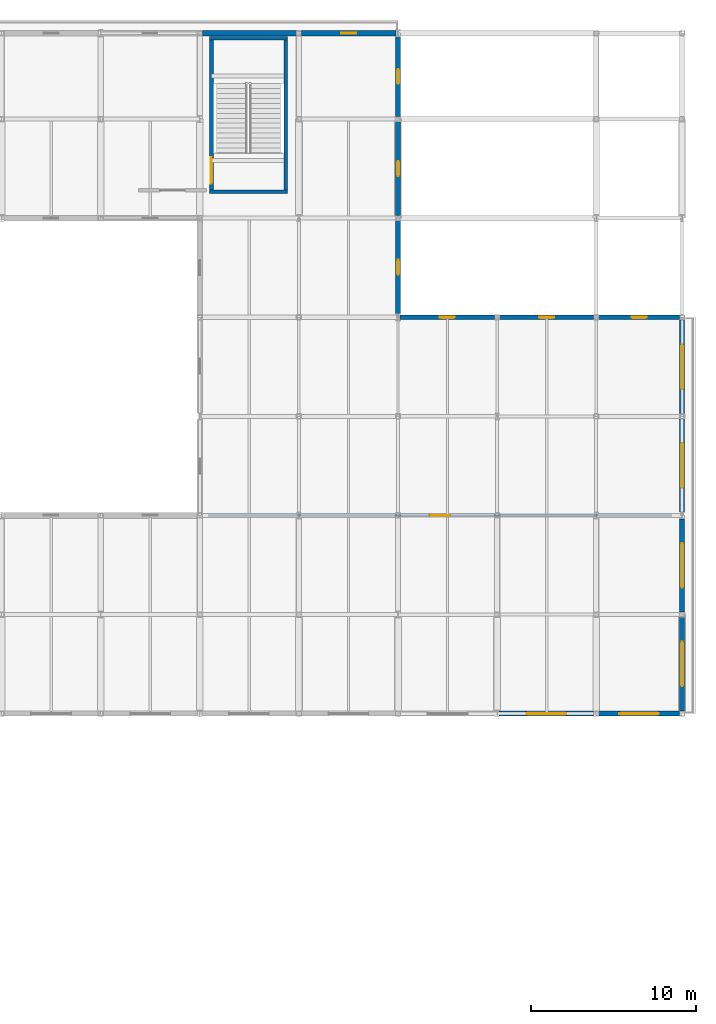
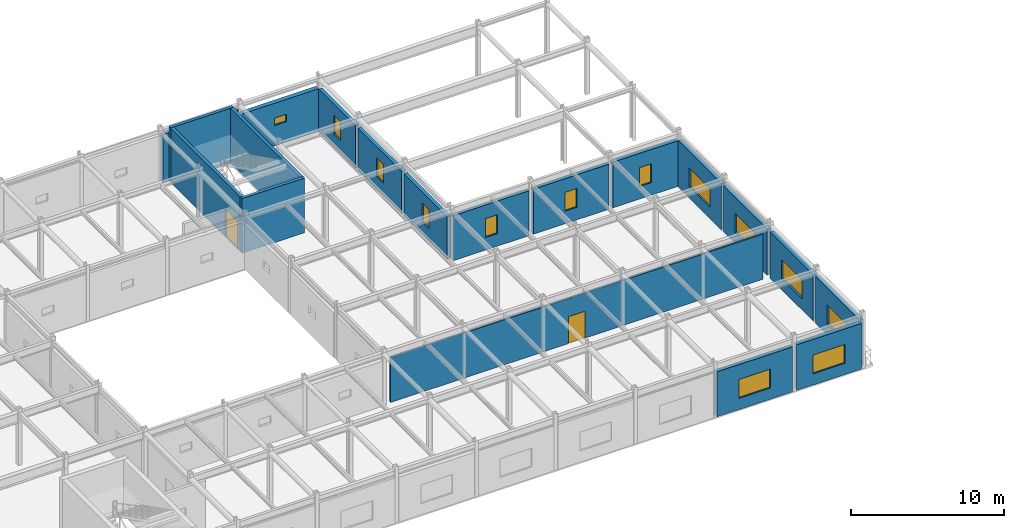
# One storey, part 72 of 96: 19 walls, 13 windows, 2 doors, 15 openings.
"""IFC4 building model written with IfcOpenShell, lengths in metres."""

from ifc_helpers import new_model, si_unit, direction, frame, frame_2d, origin, place, context, subcontext, project, spatial, rectangle, extrude, material, layer, layer_set, type_object, element, fill, save


model = new_model("IFC4")

# Units and contexts
model_context = context("Model", 3, precision=1e-05, world=origin(), true_north=direction((0.0, 1.0)))
body_context = subcontext(model_context, "Body", "Model", "MODEL_VIEW")
ifc_project = project(units=[si_unit("LENGTHUNIT", "METRE"), si_unit("AREAUNIT", "SQUARE_METRE"), si_unit("VOLUMEUNIT", "CUBIC_METRE"), si_unit("PLANEANGLEUNIT", "RADIAN"), si_unit("MASSUNIT", "GRAM", prefix="KILO")], contexts=[model_context])

# Site, building, storey
site_placement = place(None, origin())
site = spatial("IfcSite", under=ifc_project, at=site_placement, CompositionType="ELEMENT")
building_placement = place(site_placement, origin())
building = spatial("IfcBuilding", under=site, at=building_placement, Name="Varnakota Square Police Headquarters", CompositionType="ELEMENT")
storey_placement = place(building_placement, frame((0.0, 0.0, 4.800048828125)))
storey = spatial("IfcBuildingStorey", under=building, at=storey_placement, Name="L01", CompositionType="ELEMENT", Elevation=4.800048828125)

# Walls
ifc_material_1 = material(Name="Concrete M40", Category="concrete")
ifc_layer_1 = layer(ifc_material_1, 0.22998046875, Name="Concrete M40")
ifc_layer_set_1 = layer_set([ifc_layer_1], Name="Concrete M40")
wall_type_1 = type_object("IfcWallType", Name="WL-CORE-230", PredefinedType="SHEAR", material=ifc_layer_set_1)
wall_1_placement = place(storey_placement, frame((132.5849609375, 100.60009765625, 0.0), z_axis=(0.0, 0.0, 1.0), x_axis=(1.0, 0.0, 0.0)))
element("IfcWall", 1, at=wall_1_placement, inside=storey, type_object=wall_type_1, Name="Core C8 shear wall L01 S", PredefinedType="SHEAR", context=body_context, shape_type="SweptSolid", body=[
    extrude(rectangle(XDim=4.72998046875, YDim=0.22998046875, at=frame_2d((2.364990234375, 0.0))), origin(), (0.0, 0.0, 1.0), 4.35986328125),
])
wall_2_placement = place(storey_placement, frame((137.199951171875, 100.485107421875, 0.0), z_axis=(0.0, 0.0, 1.0), x_axis=(0.0, 1.0, 0.0)))
element("IfcWall", 2, at=wall_2_placement, inside=storey, type_object=wall_type_1, Name="Core C8 shear wall L01 E", PredefinedType="SHEAR", context=body_context, shape_type="SweptSolid", body=[
    extrude(rectangle(XDim=9.52978515625, YDim=0.22998046875, at=frame_2d((4.764892578125, 0.0))), origin(), (0.0, 0.0, 1.0), 4.35986328125),
])
wall_3_placement = place(storey_placement, frame((137.31494140625, 109.89990234375, 0.0), z_axis=(0.0, 0.0, 1.0), x_axis=(-1.0, 0.0, 0.0)))
element("IfcWall", 3, at=wall_3_placement, inside=storey, type_object=wall_type_1, Name="Core C8 shear wall L01 N", PredefinedType="SHEAR", context=body_context, shape_type="SweptSolid", body=[
    extrude(rectangle(XDim=4.72998046875, YDim=0.22998046875, at=frame_2d((2.364990234375, 0.0))), origin(), (0.0, 0.0, 1.0), 4.35986328125),
])

# Wall, opening, door
wall_4_placement = place(storey_placement, frame((132.699951171875, 110.014892578125, 0.0), z_axis=(0.0, 0.0, 1.0), x_axis=(0.0, -1.0, 0.0)))
wall_4 = element("IfcWall", 4, at=wall_4_placement, inside=storey, type_object=wall_type_1, Name="Core C8 shear wall L01 W", PredefinedType="SHEAR", context=body_context, shape_type="SweptSolid", body=[
    extrude(rectangle(XDim=9.52978515625, YDim=0.22998046875, at=frame_2d((4.764892578125, 0.0))), origin(), (0.0, 0.0, 1.0), 4.35986328125),
])
opening_1_placement = place(wall_4_placement, frame((7.3349609375, 0.0, 0.0)))
opening_1 = element("IfcOpeningElement", 5, at=opening_1_placement, cuts=wall_4, Name="Opening SD115", PredefinedType="OPENING", context=body_context, shape_type="SweptSolid", body=[
    extrude(rectangle(XDim=1.60009765625, YDim=2.199951171875, at=frame_2d((0.800048828125, 1.10009765625))), frame((0.0, 0.125, 0.0), z_axis=(0.0, -1.0, 0.0), x_axis=(1.0, 0.0, 0.0)), (0.0, 0.0, 1.0), 0.25),
])
ifc_material_2 = material(Name="Powder-Coated Galvanised Steel", Category="steel")
door_type_1 = type_object("IfcDoorType", Name="DR-ST-160", OperationType="NOTDEFINED", PredefinedType="DOOR", material=ifc_material_2)
door_1_placement = place(opening_1_placement, origin())
door_1 = element("IfcDoor", 6, at=door_1_placement, inside=storey, type_object=door_type_1, Name="Protected stair door SD115", OperationType="DOUBLE_DOOR_SINGLE_SWING", OverallHeight=2.199951171875, OverallWidth=1.60009765625, PredefinedType="DOOR", context=body_context, shape_type="SweptSolid", body=[
    extrude(rectangle(XDim=1.60009765625, YDim=2.199951171875, at=frame_2d((0.800048828125, 1.10009765625))), frame((0.0, 0.02490234375, 0.0), z_axis=(0.0, -1.0, 0.0), x_axis=(1.0, 0.0, 0.0)), (0.0, 0.0, 1.0), 0.050048828125),
])
fill(opening_1, door_1)

# Wall, opening, window
ifc_layer_2 = layer(ifc_material_1, 0.280029296875, Name="Concrete M40")
ifc_layer_set_2 = layer_set([ifc_layer_2], Name="Concrete M40")
wall_type_2 = type_object("IfcWallType", Name="WL-EXT-280", PredefinedType="SOLIDWALL", material=ifc_layer_set_2)
wall_5_placement = place(storey_placement, frame((144.0, 93.2041015625, 0.0), z_axis=(0.0, 0.0, 1.0), x_axis=(0.0, 1.0, 0.0)))
wall_5 = element("IfcWall", 7, at=wall_5_placement, inside=storey, type_object=wall_type_2, Name="Exterior wall EW-L01-0795", PredefinedType="SOLIDWALL", context=body_context, shape_type="SweptSolid", body=[
    extrude(rectangle(XDim=5.641845703125, YDim=0.280029296875, at=frame_2d((2.82080078125, 0.0))), origin(), (0.0, 0.0, 1.0), 3.389892578125),
])
opening_2_placement = place(wall_5_placement, frame((2.37109375, 0.0, 1.0)))
opening_2 = element("IfcOpeningElement", 8, at=opening_2_placement, cuts=wall_5, Name="Opening W09", PredefinedType="OPENING", context=body_context, shape_type="SweptSolid", body=[
    extrude(rectangle(XDim=0.89990234375, YDim=1.5, at=frame_2d((0.449951171875, 0.75))), frame((0.0, 0.14990234375, 0.0), z_axis=(0.0, -1.0, 0.0), x_axis=(1.0, 0.0, 0.0)), (0.0, 0.0, 1.0), 0.300048828125),
])
ifc_material_3 = material(Name="Thermally Broken Aluminium Double-Glazed Window", Category="aluminium")
window_type_1 = type_object("IfcWindowType", Name="WIN-09", PartitioningType="SINGLE_PANEL", PredefinedType="WINDOW", material=ifc_material_3)
window_1_placement = place(opening_2_placement, origin())
window_1 = element("IfcWindow", 9, at=window_1_placement, inside=storey, type_object=window_type_1, Name="Window WN-L01-0292", OverallHeight=1.5, OverallWidth=0.89990234375, PartitioningType="SINGLE_PANEL", PredefinedType="WINDOW", context=body_context, shape_type="SweptSolid", body=[
    extrude(rectangle(XDim=0.89990234375, YDim=1.5, at=frame_2d((0.449951171875, 0.75))), frame((0.0, 0.030029296875, 0.0), z_axis=(0.0, -1.0, 0.0), x_axis=(1.0, 0.0, 0.0)), (0.0, 0.0, 1.0), 0.06005859375),
])
fill(opening_2, window_1)

wall_6_placement = place(storey_placement, frame((144.0, 99.154052734375, 0.0), z_axis=(0.0, 0.0, 1.0), x_axis=(0.0, 1.0, 0.0)))
wall_6 = element("IfcWall", 10, at=wall_6_placement, inside=storey, type_object=wall_type_2, Name="Exterior wall EW-L01-0796", PredefinedType="SOLIDWALL", context=body_context, shape_type="SweptSolid", body=[
    extrude(rectangle(XDim=5.69189453125, YDim=0.280029296875, at=frame_2d((2.845947265625, 0.0))), origin(), (0.0, 0.0, 1.0), 3.389892578125),
])
opening_3_placement = place(wall_6_placement, frame((2.39599609375, 0.0, 1.0)))
opening_3 = element("IfcOpeningElement", 11, at=opening_3_placement, cuts=wall_6, Name="Opening W09", PredefinedType="OPENING", context=body_context, shape_type="SweptSolid", body=[
    extrude(rectangle(XDim=0.89990234375, YDim=1.5, at=frame_2d((0.449951171875, 0.75))), frame((0.0, 0.14990234375, 0.0), z_axis=(0.0, -1.0, 0.0), x_axis=(1.0, 0.0, 0.0)), (0.0, 0.0, 1.0), 0.300048828125),
])
window_2_placement = place(opening_3_placement, origin())
window_2 = element("IfcWindow", 12, at=window_2_placement, inside=storey, type_object=window_type_1, Name="Window WN-L01-0293", OverallHeight=1.5, OverallWidth=0.89990234375, PartitioningType="SINGLE_PANEL", PredefinedType="WINDOW", context=body_context, shape_type="SweptSolid", body=[
    extrude(rectangle(XDim=0.89990234375, YDim=1.5, at=frame_2d((0.449951171875, 0.75))), frame((0.0, 0.030029296875, 0.0), z_axis=(0.0, -1.0, 0.0), x_axis=(1.0, 0.0, 0.0)), (0.0, 0.0, 1.0), 0.06005859375),
])
fill(opening_3, window_2)

wall_7_placement = place(storey_placement, frame((144.0, 105.154052734375, 0.0), z_axis=(0.0, 0.0, 1.0), x_axis=(0.0, 1.0, 0.0)))
wall_7 = element("IfcWall", 13, at=wall_7_placement, inside=storey, type_object=wall_type_2, Name="Exterior wall EW-L01-0797", PredefinedType="SOLIDWALL", context=body_context, shape_type="SweptSolid", body=[
    extrude(rectangle(XDim=4.842041015625, YDim=0.280029296875, at=frame_2d((2.4208984375, 0.0))), origin(), (0.0, 0.0, 1.0), 3.389892578125),
])
opening_4_placement = place(wall_7_placement, frame((1.970947265625, 0.0, 1.0)))
opening_4 = element("IfcOpeningElement", 14, at=opening_4_placement, cuts=wall_7, Name="Opening W09", PredefinedType="OPENING", context=body_context, shape_type="SweptSolid", body=[
    extrude(rectangle(XDim=0.89990234375, YDim=1.5, at=frame_2d((0.449951171875, 0.75))), frame((0.0, 0.14990234375, 0.0), z_axis=(0.0, -1.0, 0.0), x_axis=(1.0, 0.0, 0.0)), (0.0, 0.0, 1.0), 0.300048828125),
])
window_3_placement = place(opening_4_placement, origin())
window_3 = element("IfcWindow", 15, at=window_3_placement, inside=storey, type_object=window_type_1, Name="Window WN-L01-0294", OverallHeight=1.5, OverallWidth=0.89990234375, PartitioningType="SINGLE_PANEL", PredefinedType="WINDOW", context=body_context, shape_type="SweptSolid", body=[
    extrude(rectangle(XDim=0.89990234375, YDim=1.5, at=frame_2d((0.449951171875, 0.75))), frame((0.0, 0.030029296875, 0.0), z_axis=(0.0, -1.0, 0.0), x_axis=(1.0, 0.0, 0.0)), (0.0, 0.0, 1.0), 0.06005859375),
])
fill(opening_4, window_3)

wall_8_placement = place(storey_placement, frame((144.12890625, 93.0, 0.0), z_axis=(0.0, 0.0, 1.0), x_axis=(1.0, 0.0, 0.0)))
wall_8 = element("IfcWall", 16, at=wall_8_placement, inside=storey, type_object=wall_type_2, Name="Exterior wall EW-L01-0798", PredefinedType="SOLIDWALL", context=body_context, shape_type="SweptSolid", body=[
    extrude(rectangle(XDim=5.717041015625, YDim=0.280029296875, at=frame_2d((2.8583984375, 0.0))), origin(), (0.0, 0.0, 1.0), 3.58984375),
])
opening_5_placement = place(wall_8_placement, frame((2.408447265625, 0.0, 1.0)))
opening_5 = element("IfcOpeningElement", 17, at=opening_5_placement, cuts=wall_8, Name="Opening W09", PredefinedType="OPENING", context=body_context, shape_type="SweptSolid", body=[
    extrude(rectangle(XDim=0.89990234375, YDim=1.5, at=frame_2d((0.449951171875, 0.75))), frame((0.0, 0.14990234375, 0.0), z_axis=(0.0, -1.0, 0.0), x_axis=(1.0, 0.0, 0.0)), (0.0, 0.0, 1.0), 0.300048828125),
])
window_4_placement = place(opening_5_placement, origin())
window_4 = element("IfcWindow", 18, at=window_4_placement, inside=storey, type_object=window_type_1, Name="Window WN-L01-0295", OverallHeight=1.5, OverallWidth=0.89990234375, PartitioningType="SINGLE_PANEL", PredefinedType="WINDOW", context=body_context, shape_type="SweptSolid", body=[
    extrude(rectangle(XDim=0.89990234375, YDim=1.5, at=frame_2d((0.449951171875, 0.75))), frame((0.0, 0.030029296875, 0.0), z_axis=(0.0, -1.0, 0.0), x_axis=(1.0, 0.0, 0.0)), (0.0, 0.0, 1.0), 0.06005859375),
])
fill(opening_5, window_4)

wall_9_placement = place(storey_placement, frame((150.154052734375, 93.0, 0.0), z_axis=(0.0, 0.0, 1.0), x_axis=(1.0, 0.0, 0.0)))
wall_9 = element("IfcWall", 19, at=wall_9_placement, inside=storey, type_object=wall_type_2, Name="Exterior wall EW-L01-0799", PredefinedType="SOLIDWALL", context=body_context, shape_type="SweptSolid", body=[
    extrude(rectangle(XDim=5.69189453125, YDim=0.280029296875, at=frame_2d((2.845947265625, 0.0))), origin(), (0.0, 0.0, 1.0), 3.58984375),
])
opening_6_placement = place(wall_9_placement, frame((2.39599609375, 0.0, 1.0)))
opening_6 = element("IfcOpeningElement", 20, at=opening_6_placement, cuts=wall_9, Name="Opening W09", PredefinedType="OPENING", context=body_context, shape_type="SweptSolid", body=[
    extrude(rectangle(XDim=0.89990234375, YDim=1.5, at=frame_2d((0.449951171875, 0.75))), frame((0.0, 0.14990234375, 0.0), z_axis=(0.0, -1.0, 0.0), x_axis=(1.0, 0.0, 0.0)), (0.0, 0.0, 1.0), 0.300048828125),
])
window_5_placement = place(opening_6_placement, origin())
window_5 = element("IfcWindow", 21, at=window_5_placement, inside=storey, type_object=window_type_1, Name="Window WN-L01-0296", OverallHeight=1.5, OverallWidth=0.89990234375, PartitioningType="SINGLE_PANEL", PredefinedType="WINDOW", context=body_context, shape_type="SweptSolid", body=[
    extrude(rectangle(XDim=0.89990234375, YDim=1.5, at=frame_2d((0.449951171875, 0.75))), frame((0.0, 0.030029296875, 0.0), z_axis=(0.0, -1.0, 0.0), x_axis=(1.0, 0.0, 0.0)), (0.0, 0.0, 1.0), 0.06005859375),
])
fill(opening_6, window_5)

wall_10_placement = place(storey_placement, frame((156.154052734375, 93.0, 0.0), z_axis=(0.0, 0.0, 1.0), x_axis=(1.0, 0.0, 0.0)))
wall_10 = element("IfcWall", 22, at=wall_10_placement, inside=storey, type_object=wall_type_2, Name="Exterior wall EW-L01-0800", PredefinedType="SOLIDWALL", context=body_context, shape_type="SweptSolid", body=[
    extrude(rectangle(XDim=4.891845703125, YDim=0.280029296875, at=frame_2d((2.44580078125, 0.0))), origin(), (0.0, 0.0, 1.0), 3.639892578125),
])
opening_7_placement = place(wall_10_placement, frame((1.99609375, 0.0, 1.0)))
opening_7 = element("IfcOpeningElement", 23, at=opening_7_placement, cuts=wall_10, Name="Opening W09", PredefinedType="OPENING", context=body_context, shape_type="SweptSolid", body=[
    extrude(rectangle(XDim=0.89990234375, YDim=1.5, at=frame_2d((0.449951171875, 0.75))), frame((0.0, 0.14990234375, 0.0), z_axis=(0.0, -1.0, 0.0), x_axis=(1.0, 0.0, 0.0)), (0.0, 0.0, 1.0), 0.300048828125),
])
window_6_placement = place(opening_7_placement, origin())
window_6 = element("IfcWindow", 24, at=window_6_placement, inside=storey, type_object=window_type_1, Name="Window WN-L01-0297", OverallHeight=1.5, OverallWidth=0.89990234375, PartitioningType="SINGLE_PANEL", PredefinedType="WINDOW", context=body_context, shape_type="SweptSolid", body=[
    extrude(rectangle(XDim=0.89990234375, YDim=1.5, at=frame_2d((0.449951171875, 0.75))), frame((0.0, 0.030029296875, 0.0), z_axis=(0.0, -1.0, 0.0), x_axis=(1.0, 0.0, 0.0)), (0.0, 0.0, 1.0), 0.06005859375),
])
fill(opening_7, window_6)

ifc_material_4 = material(Name="Precast concrete M40", Category="concrete")
ifc_layer_3 = layer(ifc_material_4, 0.300048828125, Name="Precast concrete M40")
ifc_layer_set_3 = layer_set([ifc_layer_3], Name="Precast concrete M40")
wall_type_3 = type_object("IfcWallType", Name="WL-EXT-300", PredefinedType="SOLIDWALL", material=ifc_layer_set_3)
wall_11_placement = place(storey_placement, frame((150.12890625, 69.0, 0.0), z_axis=(0.0, 0.0, 1.0), x_axis=(1.0, 0.0, 0.0)))
wall_11 = element("IfcWall", 25, at=wall_11_placement, inside=storey, type_object=wall_type_3, Name="Exterior wall EW-L01-0707", PredefinedType="SOLIDWALL", context=body_context, shape_type="SweptSolid", body=[
    extrude(rectangle(XDim=5.717041015625, YDim=0.300048828125, at=frame_2d((2.8583984375, 0.0))), origin(), (0.0, 0.0, 1.0), 3.58984375),
])
opening_8_placement = place(wall_11_placement, frame((1.658447265625, 0.0, 0.89990234375)))
opening_8 = element("IfcOpeningElement", 26, at=opening_8_placement, cuts=wall_11, Name="Opening W02", PredefinedType="OPENING", context=body_context, shape_type="SweptSolid", body=[
    extrude(rectangle(XDim=2.39990234375, YDim=1.5, at=frame_2d((1.199951171875, 0.75))), frame((0.0, 0.159912109375, 0.0), z_axis=(0.0, -1.0, 0.0), x_axis=(1.0, 0.0, 0.0)), (0.0, 0.0, 1.0), 0.320068359375),
])
window_type_2 = type_object("IfcWindowType", Name="WIN-02", PartitioningType="SINGLE_PANEL", PredefinedType="WINDOW", material=ifc_material_3)
window_7_placement = place(opening_8_placement, origin())
window_7 = element("IfcWindow", 27, at=window_7_placement, inside=storey, type_object=window_type_2, Name="Window WN-L01-0210", OverallHeight=1.5, OverallWidth=2.39990234375, PartitioningType="SINGLE_PANEL", PredefinedType="WINDOW", context=body_context, shape_type="SweptSolid", body=[
    extrude(rectangle(XDim=2.39990234375, YDim=1.5, at=frame_2d((1.199951171875, 0.75))), frame((0.0, 0.030029296875, 0.0), z_axis=(0.0, -1.0, 0.0), x_axis=(1.0, 0.0, 0.0)), (0.0, 0.0, 1.0), 0.06005859375),
])
fill(opening_8, window_7)

wall_12_placement = place(storey_placement, frame((156.154052734375, 69.0, 0.0), z_axis=(0.0, 0.0, 1.0), x_axis=(1.0, 0.0, 0.0)))
wall_12 = element("IfcWall", 28, at=wall_12_placement, inside=storey, type_object=wall_type_3, Name="Exterior wall EW-L01-0708", PredefinedType="SOLIDWALL", context=body_context, shape_type="SweptSolid", body=[
    extrude(rectangle(XDim=4.891845703125, YDim=0.300048828125, at=frame_2d((2.44580078125, 0.0))), origin(), (0.0, 0.0, 1.0), 3.639892578125),
])
opening_9_placement = place(wall_12_placement, frame((1.24609375, 0.0, 0.89990234375)))
opening_9 = element("IfcOpeningElement", 29, at=opening_9_placement, cuts=wall_12, Name="Opening W02", PredefinedType="OPENING", context=body_context, shape_type="SweptSolid", body=[
    extrude(rectangle(XDim=2.39990234375, YDim=1.5, at=frame_2d((1.199951171875, 0.75))), frame((0.0, 0.159912109375, 0.0), z_axis=(0.0, -1.0, 0.0), x_axis=(1.0, 0.0, 0.0)), (0.0, 0.0, 1.0), 0.320068359375),
])
window_8_placement = place(opening_9_placement, origin())
window_8 = element("IfcWindow", 30, at=window_8_placement, inside=storey, type_object=window_type_2, Name="Window WN-L01-0211", OverallHeight=1.5, OverallWidth=2.39990234375, PartitioningType="SINGLE_PANEL", PredefinedType="WINDOW", context=body_context, shape_type="SweptSolid", body=[
    extrude(rectangle(XDim=2.39990234375, YDim=1.5, at=frame_2d((1.199951171875, 0.75))), frame((0.0, 0.030029296875, 0.0), z_axis=(0.0, -1.0, 0.0), x_axis=(1.0, 0.0, 0.0)), (0.0, 0.0, 1.0), 0.06005859375),
])
fill(opening_9, window_8)

ifc_layer_4 = layer(ifc_material_4, 0.320068359375, Name="Precast concrete M40")
ifc_layer_set_4 = layer_set([ifc_layer_4], Name="Precast concrete M40")
wall_type_4 = type_object("IfcWallType", Name="WL-EXT-320", PredefinedType="SOLIDWALL", material=ifc_layer_set_4)
wall_13_placement = place(storey_placement, frame((161.199951171875, 69.154052734375, 0.0), z_axis=(0.0, 0.0, 1.0), x_axis=(0.0, 1.0, 0.0)))
wall_13 = element("IfcWall", 31, at=wall_13_placement, inside=storey, type_object=wall_type_4, Name="Exterior wall EW-L01-0709", PredefinedType="SOLIDWALL", context=body_context, shape_type="SweptSolid", body=[
    extrude(rectangle(XDim=5.69189453125, YDim=0.320068359375, at=frame_2d((2.845947265625, 0.0))), origin(), (0.0, 0.0, 1.0), 3.739990234375),
])
opening_10_placement = place(wall_13_placement, frame((1.49609375, 0.0, 0.89990234375)))
opening_10 = element("IfcOpeningElement", 32, at=opening_10_placement, cuts=wall_13, Name="Opening W10", PredefinedType="OPENING", context=body_context, shape_type="SweptSolid", body=[
    extrude(rectangle(XDim=2.699951171875, YDim=1.5, at=frame_2d((1.35009765625, 0.75))), frame((0.0, 0.169921875, 0.0), z_axis=(0.0, -1.0, 0.0), x_axis=(1.0, 0.0, 0.0)), (0.0, 0.0, 1.0), 0.340087890625),
])
window_type_3 = type_object("IfcWindowType", Name="WIN-10", PartitioningType="SINGLE_PANEL", PredefinedType="WINDOW", material=ifc_material_3)
window_9_placement = place(opening_10_placement, origin())
window_9 = element("IfcWindow", 33, at=window_9_placement, inside=storey, type_object=window_type_3, Name="Window WN-L01-0212", OverallHeight=1.5, OverallWidth=2.699951171875, PartitioningType="SINGLE_PANEL", PredefinedType="WINDOW", context=body_context, shape_type="SweptSolid", body=[
    extrude(rectangle(XDim=2.699951171875, YDim=1.5, at=frame_2d((1.35009765625, 0.75))), frame((0.0, 0.030029296875, 0.0), z_axis=(0.0, -1.0, 0.0), x_axis=(1.0, 0.0, 0.0)), (0.0, 0.0, 1.0), 0.06005859375),
])
fill(opening_10, window_9)

wall_14_placement = place(storey_placement, frame((161.199951171875, 75.154052734375, 0.0), z_axis=(0.0, 0.0, 1.0), x_axis=(0.0, 1.0, 0.0)))
wall_14 = element("IfcWall", 34, at=wall_14_placement, inside=storey, type_object=wall_type_4, Name="Exterior wall EW-L01-0710", PredefinedType="SOLIDWALL", context=body_context, shape_type="SweptSolid", body=[
    extrude(rectangle(XDim=5.641845703125, YDim=0.320068359375, at=frame_2d((2.82080078125, 0.0))), origin(), (0.0, 0.0, 1.0), 3.68994140625),
])
opening_11_placement = place(wall_14_placement, frame((1.470947265625, 0.0, 0.89990234375)))
opening_11 = element("IfcOpeningElement", 35, at=opening_11_placement, cuts=wall_14, Name="Opening W10", PredefinedType="OPENING", context=body_context, shape_type="SweptSolid", body=[
    extrude(rectangle(XDim=2.699951171875, YDim=1.5, at=frame_2d((1.35009765625, 0.75))), frame((0.0, 0.169921875, 0.0), z_axis=(0.0, -1.0, 0.0), x_axis=(1.0, 0.0, 0.0)), (0.0, 0.0, 1.0), 0.340087890625),
])
window_10_placement = place(opening_11_placement, origin())
window_10 = element("IfcWindow", 36, at=window_10_placement, inside=storey, type_object=window_type_3, Name="Window WN-L01-0213", OverallHeight=1.5, OverallWidth=2.699951171875, PartitioningType="SINGLE_PANEL", PredefinedType="WINDOW", context=body_context, shape_type="SweptSolid", body=[
    extrude(rectangle(XDim=2.699951171875, YDim=1.5, at=frame_2d((1.35009765625, 0.75))), frame((0.0, 0.030029296875, 0.0), z_axis=(0.0, -1.0, 0.0), x_axis=(1.0, 0.0, 0.0)), (0.0, 0.0, 1.0), 0.06005859375),
])
fill(opening_11, window_10)

wall_15_placement = place(storey_placement, frame((161.199951171875, 81.2041015625, 0.0), z_axis=(0.0, 0.0, 1.0), x_axis=(0.0, 1.0, 0.0)))
wall_15 = element("IfcWall", 37, at=wall_15_placement, inside=storey, type_object=wall_type_4, Name="Exterior wall EW-L01-0711", PredefinedType="SOLIDWALL", context=body_context, shape_type="SweptSolid", body=[
    extrude(rectangle(XDim=5.641845703125, YDim=0.320068359375, at=frame_2d((2.82080078125, 0.0))), origin(), (0.0, 0.0, 1.0), 3.68994140625),
])
opening_12_placement = place(wall_15_placement, frame((1.470947265625, 0.0, 0.89990234375)))
opening_12 = element("IfcOpeningElement", 38, at=opening_12_placement, cuts=wall_15, Name="Opening W10", PredefinedType="OPENING", context=body_context, shape_type="SweptSolid", body=[
    extrude(rectangle(XDim=2.699951171875, YDim=1.5, at=frame_2d((1.35009765625, 0.75))), frame((0.0, 0.169921875, 0.0), z_axis=(0.0, -1.0, 0.0), x_axis=(1.0, 0.0, 0.0)), (0.0, 0.0, 1.0), 0.340087890625),
])
window_11_placement = place(opening_12_placement, origin())
window_11 = element("IfcWindow", 39, at=window_11_placement, inside=storey, type_object=window_type_3, Name="Window WN-L01-0214", OverallHeight=1.5, OverallWidth=2.699951171875, PartitioningType="SINGLE_PANEL", PredefinedType="WINDOW", context=body_context, shape_type="SweptSolid", body=[
    extrude(rectangle(XDim=2.699951171875, YDim=1.5, at=frame_2d((1.35009765625, 0.75))), frame((0.0, 0.030029296875, 0.0), z_axis=(0.0, -1.0, 0.0), x_axis=(1.0, 0.0, 0.0)), (0.0, 0.0, 1.0), 0.06005859375),
])
fill(opening_12, window_11)

wall_16_placement = place(storey_placement, frame((161.199951171875, 87.154052734375, 0.0), z_axis=(0.0, 0.0, 1.0), x_axis=(0.0, 1.0, 0.0)))
wall_16 = element("IfcWall", 40, at=wall_16_placement, inside=storey, type_object=wall_type_4, Name="Exterior wall EW-L01-0712", PredefinedType="SOLIDWALL", context=body_context, shape_type="SweptSolid", body=[
    extrude(rectangle(XDim=5.69189453125, YDim=0.320068359375, at=frame_2d((2.845947265625, 0.0))), origin(), (0.0, 0.0, 1.0), 3.68994140625),
])
opening_13_placement = place(wall_16_placement, frame((1.49609375, 0.0, 0.89990234375)))
opening_13 = element("IfcOpeningElement", 41, at=opening_13_placement, cuts=wall_16, Name="Opening W10", PredefinedType="OPENING", context=body_context, shape_type="SweptSolid", body=[
    extrude(rectangle(XDim=2.699951171875, YDim=1.5, at=frame_2d((1.35009765625, 0.75))), frame((0.0, 0.169921875, 0.0), z_axis=(0.0, -1.0, 0.0), x_axis=(1.0, 0.0, 0.0)), (0.0, 0.0, 1.0), 0.340087890625),
])
window_12_placement = place(opening_13_placement, origin())
window_12 = element("IfcWindow", 42, at=window_12_placement, inside=storey, type_object=window_type_3, Name="Window WN-L01-0215", OverallHeight=1.5, OverallWidth=2.699951171875, PartitioningType="SINGLE_PANEL", PredefinedType="WINDOW", context=body_context, shape_type="SweptSolid", body=[
    extrude(rectangle(XDim=2.699951171875, YDim=1.5, at=frame_2d((1.35009765625, 0.75))), frame((0.0, 0.030029296875, 0.0), z_axis=(0.0, -1.0, 0.0), x_axis=(1.0, 0.0, 0.0)), (0.0, 0.0, 1.0), 0.06005859375),
])
fill(opening_13, window_12)

# Wall
ifc_layer_5 = layer(ifc_material_1, 0.340087890625, Name="Concrete M40")
ifc_layer_set_5 = layer_set([ifc_layer_5], Name="Concrete M40")
wall_type_5 = type_object("IfcWallType", Name="WL-EXT-340", PredefinedType="SOLIDWALL", material=ifc_layer_set_5)
wall_17_placement = place(storey_placement, frame((132.154052734375, 110.199951171875, 0.0), z_axis=(0.0, 0.0, 1.0), x_axis=(1.0, 0.0, 0.0)))
element("IfcWall", 43, at=wall_17_placement, inside=storey, type_object=wall_type_5, Name="Exterior wall EW-L01-0696", PredefinedType="SOLIDWALL", context=body_context, shape_type="SweptSolid", body=[
    extrude(rectangle(XDim=5.69189453125, YDim=0.340087890625, at=frame_2d((2.845947265625, 0.0))), origin(), (0.0, 0.0, 1.0), 3.83984375),
])

# Wall, opening, window
wall_18_placement = place(storey_placement, frame((138.154052734375, 110.199951171875, 0.0), z_axis=(0.0, 0.0, 1.0), x_axis=(1.0, 0.0, 0.0)))
wall_18 = element("IfcWall", 44, at=wall_18_placement, inside=storey, type_object=wall_type_5, Name="Exterior wall EW-L01-0697", PredefinedType="SOLIDWALL", context=body_context, shape_type="SweptSolid", body=[
    extrude(rectangle(XDim=5.717041015625, YDim=0.340087890625, at=frame_2d((2.8583984375, 0.0))), origin(), (0.0, 0.0, 1.0), 3.389892578125),
])
opening_14_placement = place(wall_18_placement, frame((2.408447265625, 0.0, 1.60009765625)))
opening_14 = element("IfcOpeningElement", 45, at=opening_14_placement, cuts=wall_18, Name="Opening W13", PredefinedType="OPENING", context=body_context, shape_type="SweptSolid", body=[
    extrude(rectangle(XDim=0.89990234375, YDim=0.60009765625, at=frame_2d((0.449951171875, 0.300048828125))), frame((0.0, 0.179931640625, 0.0), z_axis=(0.0, -1.0, 0.0), x_axis=(1.0, 0.0, 0.0)), (0.0, 0.0, 1.0), 0.360107421875),
])
window_type_4 = type_object("IfcWindowType", Name="WIN-13", PartitioningType="SINGLE_PANEL", PredefinedType="WINDOW", material=ifc_material_3)
window_13_placement = place(opening_14_placement, origin())
window_13 = element("IfcWindow", 46, at=window_13_placement, inside=storey, type_object=window_type_4, Name="Window WN-L01-0202", OverallHeight=0.60009765625, OverallWidth=0.89990234375, PartitioningType="SINGLE_PANEL", PredefinedType="WINDOW", context=body_context, shape_type="SweptSolid", body=[
    extrude(rectangle(XDim=0.89990234375, YDim=0.60009765625, at=frame_2d((0.449951171875, 0.300048828125))), frame((0.0, 0.030029296875, 0.0), z_axis=(0.0, -1.0, 0.0), x_axis=(1.0, 0.0, 0.0)), (0.0, 0.0, 1.0), 0.06005859375),
])
fill(opening_14, window_13)

# Wall, opening, door
ifc_material_5 = material(Name="Acoustic Insulated Metal-Stud Partition", Category="gypsum")
ifc_layer_6 = layer(ifc_material_5, 0.139892578125, Name="Acoustic Insulated Metal-Stud Partition")
ifc_layer_set_6 = layer_set([ifc_layer_6], Name="Acoustic Insulated Metal-Stud Partition")
wall_type_6 = type_object("IfcWallType", Name="WL-PRT-140", PredefinedType="PARTITIONING", material=ifc_layer_set_6)
wall_19_placement = place(storey_placement, frame((160.60009765625, 81.0, 0.0), z_axis=(0.0, 0.0, 1.0), x_axis=(-1.0, 0.0, 0.0)))
wall_19 = element("IfcWall", 47, at=wall_19_placement, inside=storey, type_object=wall_type_6, Name="Interior partition PW-L01-0107 (Detention Observation and Medical Ward)", PredefinedType="PARTITIONING", context=body_context, shape_type="SweptSolid", body=[
    extrude(rectangle(XDim=28.10009765625, YDim=0.139892578125, at=frame_2d((14.050048828125, 0.0))), origin(), (0.0, 0.0, 1.0), 3.58984375),
])
opening_15_placement = place(wall_19_placement, frame((13.425048828125, 0.0, 0.0)))
opening_15 = element("IfcOpeningElement", 48, at=opening_15_placement, cuts=wall_19, Name="Opening D213", PredefinedType="OPENING", context=body_context, shape_type="SweptSolid", body=[
    extrude(rectangle(XDim=1.25, YDim=2.14990234375, at=frame_2d((0.625, 1.074951171875))), frame((0.0, 0.079833984375, 0.0), z_axis=(0.0, -1.0, 0.0), x_axis=(1.0, 0.0, 0.0)), (0.0, 0.0, 1.0), 0.159912109375),
])
ifc_material_6 = material(Name="Stainless-Edge Hygienic Phenolic Composite")
door_type_2 = type_object("IfcDoorType", Name="DR-MED-125", OperationType="NOTDEFINED", PredefinedType="DOOR", material=ifc_material_6)
door_2_placement = place(opening_15_placement, origin())
door_2 = element("IfcDoor", 49, at=door_2_placement, inside=storey, type_object=door_type_2, Name="Room door D213 (Detention Observation and Medical Ward)", OperationType="SINGLE_SWING_RIGHT", OverallHeight=2.14990234375, OverallWidth=1.25, PredefinedType="DOOR", context=body_context, shape_type="SweptSolid", body=[
    extrude(rectangle(XDim=1.25, YDim=2.14990234375, at=frame_2d((0.625, 1.074951171875))), frame((0.0, 0.02490234375, 0.0), z_axis=(0.0, -1.0, 0.0), x_axis=(1.0, 0.0, 0.0)), (0.0, 0.0, 1.0), 0.050048828125),
])
fill(opening_15, door_2)

save(model, "model.ifc")
